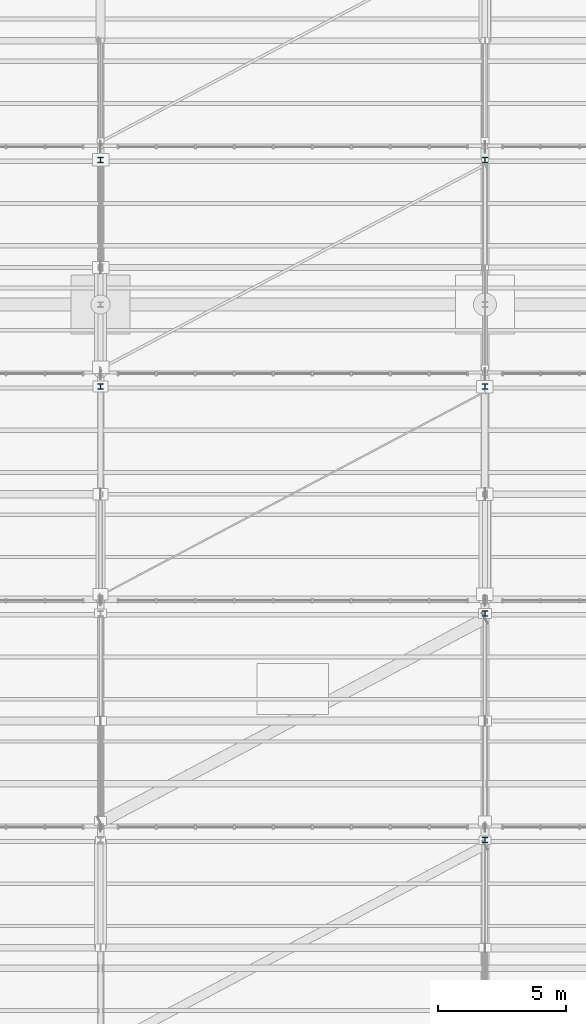
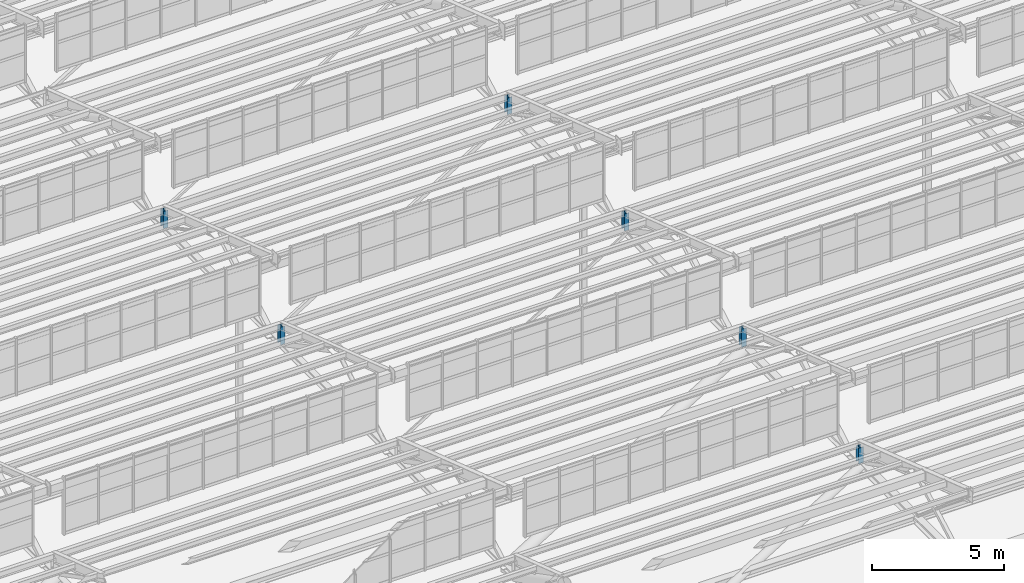
# One storey, part 143 of 285: 6 members.
"""IFC4 building model written with IfcOpenShell, lengths in metres."""

from ifc_helpers import new_model, si_unit, direction, frame, origin, origin_2d, place, context, subcontext, project, spatial, i_section, extrude, material, material_profile, profile_set, type_object, element, save


model = new_model("IFC4")

# Units and contexts
model_context = context("Model", 3, precision=1e-05, world=origin(), true_north=direction((0.0, 1.0)))
body_context = subcontext(model_context, "Body", "Model", "MODEL_VIEW")
ifc_project = project(units=[si_unit("LENGTHUNIT", "METRE"), si_unit("AREAUNIT", "SQUARE_METRE"), si_unit("VOLUMEUNIT", "CUBIC_METRE"), si_unit("PLANEANGLEUNIT", "RADIAN"), si_unit("MASSUNIT", "GRAM", prefix="KILO")], contexts=[model_context])

# Site, building, storey
site_placement = place(None, origin())
site = spatial("IfcSite", under=ifc_project, at=site_placement, CompositionType="ELEMENT")
building_placement = place(site_placement, origin())
building = spatial("IfcBuilding", under=site, at=building_placement, Name="Solanera Park Tramway Depot", CompositionType="ELEMENT")
storey_placement = place(building_placement, origin())
storey = spatial("IfcBuildingStorey", under=building, at=storey_placement, Name="L00", CompositionType="ELEMENT", Elevation=0.0)

# Members
ifc_material = material(Name="Steel AS/NZS 3679.1 Grade 350", Category="steel")
ifc_material_profile = material_profile(ifc_material, i_section(OverallWidth=0.205078125, OverallDepth=0.209716796875, WebThickness=0.00927734375, FlangeThickness=0.01416015625, at=origin_2d()), Name="200UC59.5")
ifc_profile_set = profile_set([ifc_material_profile], Name="Steel AS/NZS 3679.1 Grade 350")
member_type = type_object("IfcMemberType", Name="Roof Gantry Compression Strut 200UC59.5", PredefinedType="STRUT", material=ifc_profile_set)
member_1_placement = place(storey_placement, frame((60.0, 64.10009765625, 6.5), z_axis=(0.0, 0.0, 1.0), x_axis=(1.0, 0.0, 0.0)))
element("IfcMember", 1, at=member_1_placement, inside=storey, type_object=member_type, Name="Sawtooth ROOF TRUSS Valley Post 200UC59.5 #0004", PredefinedType="STRUT", context=body_context, shape_type="SweptSolid", body=[
    extrude(i_section(OverallWidth=0.205078125, OverallDepth=0.209716796875, WebThickness=0.00927734375, FlangeThickness=0.01416015625, at=origin_2d()), origin(), (0.0, 0.0, 1.0), 0.724365234375),
])
member_2_placement = place(storey_placement, frame((60.0, 72.949951171875, 6.5), z_axis=(0.0, 0.0, 1.0), x_axis=(1.0, 0.0, 0.0)))
element("IfcMember", 2, at=member_2_placement, inside=storey, type_object=member_type, Name="Sawtooth ROOF TRUSS Valley Post 200UC59.5 #0013", PredefinedType="STRUT", context=body_context, shape_type="SweptSolid", body=[
    extrude(i_section(OverallWidth=0.205078125, OverallDepth=0.209716796875, WebThickness=0.00927734375, FlangeThickness=0.01416015625, at=origin_2d()), origin(), (0.0, 0.0, 1.0), 0.83740234375),
])
member_3_placement = place(storey_placement, frame((45.0, 81.800048828125, 6.5), z_axis=(0.0, 0.0, 1.0), x_axis=(1.0, 0.0, 0.0)))
element("IfcMember", 3, at=member_3_placement, inside=storey, type_object=member_type, Name="Sawtooth ROOF TRUSS Valley Post 200UC59.5 #0022", PredefinedType="STRUT", context=body_context, shape_type="SweptSolid", body=[
    extrude(i_section(OverallWidth=0.205078125, OverallDepth=0.209716796875, WebThickness=0.00927734375, FlangeThickness=0.01416015625, at=origin_2d()), origin(), (0.0, 0.0, 1.0), 0.81298828125),
])
for number, where, z_axis, x_axis, name in (
    (4, (60.0, 81.800048828125, 6.5), (0.0, 0.0, 1.0), (1.0, 0.0, 0.0), "Sawtooth ROOF TRUSS Valley Post 200UC59.5 #0023"),
    (5, (45.0, 90.64990234375, 6.5), (0.0, 0.0, 1.0), (1.0, 0.0, 0.0), "Sawtooth ROOF TRUSS Valley Post 200UC59.5 #0033"),
):
    element("IfcMember", number, at=place(storey_placement, frame(where, z_axis=z_axis, x_axis=x_axis)), inside=storey, type_object=member_type, Name=name, PredefinedType="STRUT", context=body_context, shape_type="SweptSolid", body=[
        extrude(i_section(OverallWidth=0.205078125, OverallDepth=0.209716796875, WebThickness=0.00927734375, FlangeThickness=0.01416015625, at=origin_2d()), origin(), (0.0, 0.0, 1.0), 0.78759765625),
    ])
member_4_placement = place(storey_placement, frame((60.0, 90.64990234375, 6.5), z_axis=(0.0, 0.0, 1.0), x_axis=(1.0, 0.0, 0.0)))
element("IfcMember", 6, at=member_4_placement, inside=storey, type_object=member_type, Name="Sawtooth ROOF TRUSS Valley Post 200UC59.5 #0034", PredefinedType="STRUT", context=body_context, shape_type="SweptSolid", body=[
    extrude(i_section(OverallWidth=0.205078125, OverallDepth=0.209716796875, WebThickness=0.00927734375, FlangeThickness=0.01416015625, at=origin_2d()), origin(), (0.0, 0.0, 1.0), 0.76220703125),
])

save(model, "model.ifc")
